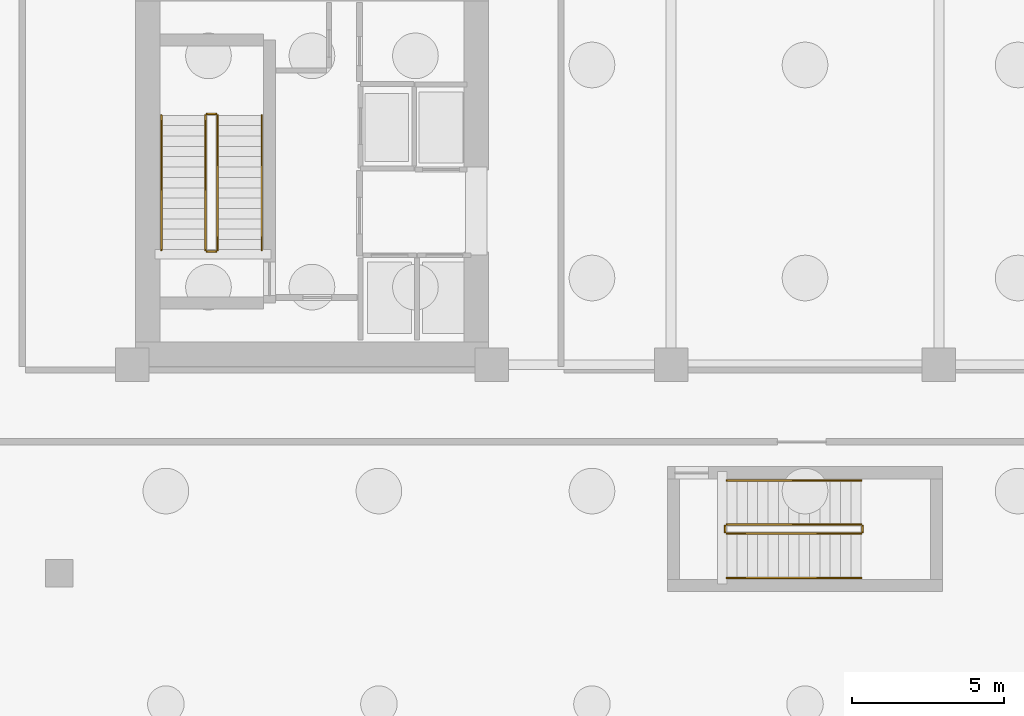
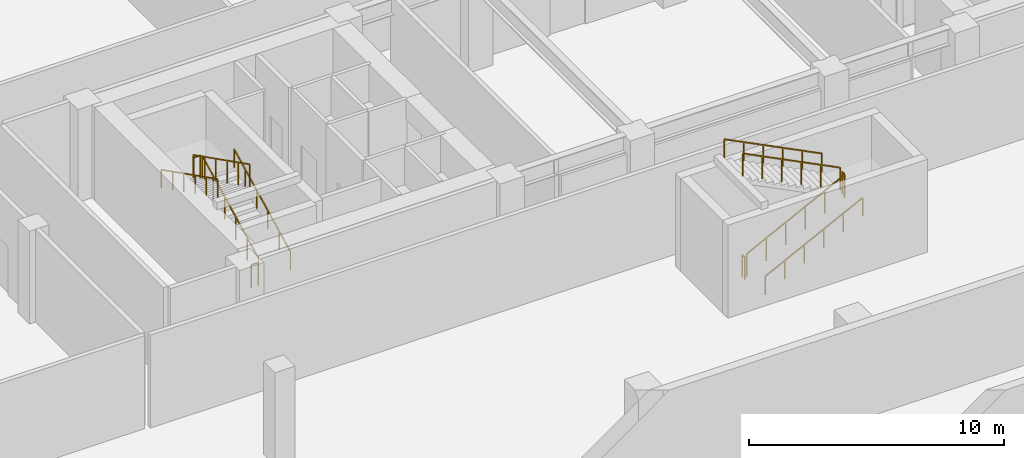
# One storey, part 8 of 10: 12 railings.
"""IFC4 building model written with IfcOpenShell, lengths in metres."""

from ifc_helpers import new_model, si_unit, direction, frame, origin, origin_2d, place, context, subcontext, project, spatial, rectangle, extrude, material, layer, layer_set, type_object, element, save


model = new_model("IFC4")

# Units and contexts
model_context = context("Model", 3, precision=1e-05, world=origin(), true_north=direction((0.0, 1.0)))
body_context = subcontext(model_context, "Body", "Model", "MODEL_VIEW")
ifc_project = project(units=[si_unit("LENGTHUNIT", "METRE"), si_unit("AREAUNIT", "SQUARE_METRE"), si_unit("VOLUMEUNIT", "CUBIC_METRE"), si_unit("PLANEANGLEUNIT", "RADIAN"), si_unit("MASSUNIT", "GRAM", prefix="KILO")], contexts=[model_context])

# Site, building, storey
site_placement = place(None, origin())
site = spatial("IfcSite", under=ifc_project, at=site_placement, CompositionType="ELEMENT")
building_placement = place(site_placement, origin())
building = spatial("IfcBuilding", under=site, at=building_placement, Name="Tavrogorsk Clinical Tower", CompositionType="ELEMENT")
storey_placement = place(building_placement, frame((0.0, 0.0, -10.199951171875)))
storey = spatial("IfcBuildingStorey", under=building, at=storey_placement, Name="B2", CompositionType="ELEMENT", Elevation=-10.199951171875)

# Railings
ifc_material_1 = material(Name="Galvanised steel S355 safety stairwell guard", Category="steel")
ifc_layer_1 = layer(ifc_material_1, 0.06005859375)
ifc_layer_set_1 = layer_set([ifc_layer_1], Name="Galvanised steel S355 safety stairwell guard")
railing_type_1 = type_object("IfcRailingType", Name="StairGuard_1150", PredefinedType="GUARDRAIL", material=ifc_layer_set_1)
railing_1_placement = place(storey_placement, frame((-19.300048828125, -2.574951171875, 0.17138671875)))
element("IfcRailing", 1, at=railing_1_placement, inside=storey, type_object=railing_type_1, Name="B2 ST-W stair guard 1", PredefinedType="GUARDRAIL", context=body_context, shape_type="SweptSolid", body=[
    extrude(rectangle(XDim=0.048095703125, YDim=0.048095703125, at=origin_2d()), frame((0.0, 0.0, 1.076171875), z_axis=(0.0, 0.89292277971, 0.450209850486), x_axis=(-1.0, 0.0, 0.0)), (0.0, 0.0, 1.0), 4.949951171875),
    extrude(rectangle(XDim=0.0419921875, YDim=0.0419921875, at=origin_2d()), origin(), (0.0, 0.0, 1.0), 1.052001953125),
    extrude(rectangle(XDim=0.0419921875, YDim=0.0419921875, at=origin_2d()), frame((0.0, 0.884033203125, 0.44580078125)), (0.0, 0.0, 1.0), 1.052001953125),
    extrude(rectangle(XDim=0.0419921875, YDim=0.0419921875, at=origin_2d()), frame((0.0, 1.76806640625, 0.891357421875)), (0.0, 0.0, 1.0), 1.052001953125),
    extrude(rectangle(XDim=0.0419921875, YDim=0.0419921875, at=origin_2d()), frame((0.0, 2.65185546875, 1.337158203125)), (0.0, 0.0, 1.0), 1.052001953125),
    extrude(rectangle(XDim=0.0419921875, YDim=0.0419921875, at=origin_2d()), frame((0.0, 3.535888671875, 1.78271484375)), (0.0, 0.0, 1.0), 1.052001953125),
    extrude(rectangle(XDim=0.0419921875, YDim=0.0419921875, at=origin_2d()), frame((0.0, 4.419921875, 2.228515625)), (0.0, 0.0, 1.0), 1.052001953125),
])
railing_2_placement = place(storey_placement, frame((-19.35009765625, 1.89501953125, 2.39990234375)))
element("IfcRailing", 2, at=railing_2_placement, inside=storey, type_object=railing_type_1, Name="B2 ST-W stair guard 2", PredefinedType="GUARDRAIL", context=body_context, shape_type="SweptSolid", body=[
    extrude(rectangle(XDim=0.048095703125, YDim=0.048095703125, at=origin_2d()), frame((0.0, 0.0, 1.076171875), z_axis=(-1.0, 0.0, 0.0), x_axis=(0.0, -1.0, 0.0)), (0.0, 0.0, 1.0), 0.2998046875),
    extrude(rectangle(XDim=0.0419921875, YDim=0.0419921875, at=origin_2d()), origin(), (0.0, 0.0, 1.0), 1.052001953125),
    extrude(rectangle(XDim=0.0419921875, YDim=0.0419921875, at=origin_2d()), frame((-0.2998046875, 0.0, 0.0)), (0.0, 0.0, 1.0), 1.052001953125),
])
railing_3_placement = place(storey_placement, frame((-19.699951171875, 1.844970703125, 2.5712890625)))
element("IfcRailing", 3, at=railing_3_placement, inside=storey, type_object=railing_type_1, Name="B2 ST-W stair guard 3", PredefinedType="GUARDRAIL", context=body_context, shape_type="SweptSolid", body=[
    extrude(rectangle(XDim=0.048095703125, YDim=0.048095703125, at=origin_2d()), frame((0.0, 0.0, 1.076171875), z_axis=(0.0, -0.892902951771, 0.450249174034), x_axis=(1.0, 0.0, 0.0)), (0.0, 0.0, 1.0), 4.949951171875),
    extrude(rectangle(XDim=0.0419921875, YDim=0.0419921875, at=origin_2d()), origin(), (0.0, 0.0, 1.0), 1.052001953125),
    extrude(rectangle(XDim=0.0419921875, YDim=0.0419921875, at=origin_2d()), frame((0.0, -0.884033203125, 0.44580078125)), (0.0, 0.0, 1.0), 1.052001953125),
    extrude(rectangle(XDim=0.0419921875, YDim=0.0419921875, at=origin_2d()), frame((0.0, -1.76806640625, 0.8916015625)), (0.0, 0.0, 1.0), 1.052001953125),
    extrude(rectangle(XDim=0.0419921875, YDim=0.0419921875, at=origin_2d()), frame((0.0, -2.65185546875, 1.337158203125)), (0.0, 0.0, 1.0), 1.052001953125),
    extrude(rectangle(XDim=0.0419921875, YDim=0.0419921875, at=origin_2d()), frame((0.0, -3.535888671875, 1.782958984375)), (0.0, 0.0, 1.0), 1.052001953125),
    extrude(rectangle(XDim=0.0419921875, YDim=0.0419921875, at=origin_2d()), frame((0.0, -4.419921875, 2.228759765625)), (0.0, 0.0, 1.0), 1.052001953125),
])
railing_4_placement = place(storey_placement, frame((-19.35009765625, -2.625, 0.0)))
element("IfcRailing", 4, at=railing_4_placement, inside=storey, type_object=railing_type_1, Name="B2 ST-W stair guard 4", PredefinedType="GUARDRAIL", context=body_context, shape_type="SweptSolid", body=[
    extrude(rectangle(XDim=0.048095703125, YDim=0.048095703125, at=origin_2d()), frame((0.0, 0.0, 1.076171875), z_axis=(-1.0, 0.0, 0.0), x_axis=(0.0, -1.0, 0.0)), (0.0, 0.0, 1.0), 0.2998046875),
    extrude(rectangle(XDim=0.0419921875, YDim=0.0419921875, at=origin_2d()), origin(), (0.0, 0.0, 1.0), 1.052001953125),
    extrude(rectangle(XDim=0.0419921875, YDim=0.0419921875, at=origin_2d()), frame((-0.2998046875, 0.0, 0.0)), (0.0, 0.0, 1.0), 1.052001953125),
])
railing_5_placement = place(storey_placement, frame((-2.574951171875, -11.89990234375, 0.17138671875)))
element("IfcRailing", 5, at=railing_5_placement, inside=storey, type_object=railing_type_1, Name="B2 ST-P stair guard 1", PredefinedType="GUARDRAIL", context=body_context, shape_type="SweptSolid", body=[
    extrude(rectangle(XDim=0.048095703125, YDim=0.048095703125, at=origin_2d()), frame((0.0, 0.0, 1.076171875), z_axis=(0.89292277971, 0.0, 0.450209850486), x_axis=(0.0, 1.0, 0.0)), (0.0, 0.0, 1.0), 4.949951171875),
    extrude(rectangle(XDim=0.0419921875, YDim=0.0419921875, at=origin_2d()), origin(), (0.0, 0.0, 1.0), 1.052001953125),
    extrude(rectangle(XDim=0.0419921875, YDim=0.0419921875, at=origin_2d()), frame((0.884033203125, 0.0, 0.44580078125)), (0.0, 0.0, 1.0), 1.052001953125),
    extrude(rectangle(XDim=0.0419921875, YDim=0.0419921875, at=origin_2d()), frame((1.76806640625, 0.0, 0.891357421875)), (0.0, 0.0, 1.0), 1.052001953125),
    extrude(rectangle(XDim=0.0419921875, YDim=0.0419921875, at=origin_2d()), frame((2.65185546875, 0.0, 1.337158203125)), (0.0, 0.0, 1.0), 1.052001953125),
    extrude(rectangle(XDim=0.0419921875, YDim=0.0419921875, at=origin_2d()), frame((3.535888671875, 0.0, 1.78271484375)), (0.0, 0.0, 1.0), 1.052001953125),
    extrude(rectangle(XDim=0.0419921875, YDim=0.0419921875, at=origin_2d()), frame((4.419921875, 0.0, 2.228515625)), (0.0, 0.0, 1.0), 1.052001953125),
])
railing_6_placement = place(storey_placement, frame((1.89501953125, -11.85009765625, 2.39990234375)))
element("IfcRailing", 6, at=railing_6_placement, inside=storey, type_object=railing_type_1, Name="B2 ST-P stair guard 2", PredefinedType="GUARDRAIL", context=body_context, shape_type="SweptSolid", body=[
    extrude(rectangle(XDim=0.048095703125, YDim=0.048095703125, at=origin_2d()), frame((0.0, 0.0, 1.076171875), z_axis=(0.0, 1.0, 0.0), x_axis=(-1.0, 0.0, 0.0)), (0.0, 0.0, 1.0), 0.2001953125),
    extrude(rectangle(XDim=0.0419921875, YDim=0.0419921875, at=origin_2d()), origin(), (0.0, 0.0, 1.0), 1.052001953125),
    extrude(rectangle(XDim=0.0419921875, YDim=0.0419921875, at=origin_2d()), frame((0.0, 0.2001953125, 0.0)), (0.0, 0.0, 1.0), 1.052001953125),
])
railing_7_placement = place(storey_placement, frame((1.844970703125, -11.60009765625, 2.5712890625)))
element("IfcRailing", 7, at=railing_7_placement, inside=storey, type_object=railing_type_1, Name="B2 ST-P stair guard 3", PredefinedType="GUARDRAIL", context=body_context, shape_type="SweptSolid", body=[
    extrude(rectangle(XDim=0.048095703125, YDim=0.048095703125, at=origin_2d()), frame((0.0, 0.0, 1.076171875), z_axis=(-0.892902951771, 0.0, 0.450249174034), x_axis=(0.0, -1.0, 0.0)), (0.0, 0.0, 1.0), 4.949951171875),
    extrude(rectangle(XDim=0.0419921875, YDim=0.0419921875, at=origin_2d()), origin(), (0.0, 0.0, 1.0), 1.052001953125),
    extrude(rectangle(XDim=0.0419921875, YDim=0.0419921875, at=origin_2d()), frame((-0.884033203125, 0.0, 0.44580078125)), (0.0, 0.0, 1.0), 1.052001953125),
    extrude(rectangle(XDim=0.0419921875, YDim=0.0419921875, at=origin_2d()), frame((-1.76806640625, 0.0, 0.8916015625)), (0.0, 0.0, 1.0), 1.052001953125),
    extrude(rectangle(XDim=0.0419921875, YDim=0.0419921875, at=origin_2d()), frame((-2.65185546875, 0.0, 1.337158203125)), (0.0, 0.0, 1.0), 1.052001953125),
    extrude(rectangle(XDim=0.0419921875, YDim=0.0419921875, at=origin_2d()), frame((-3.535888671875, 0.0, 1.782958984375)), (0.0, 0.0, 1.0), 1.052001953125),
    extrude(rectangle(XDim=0.0419921875, YDim=0.0419921875, at=origin_2d()), frame((-4.419921875, 0.0, 2.228759765625)), (0.0, 0.0, 1.0), 1.052001953125),
])
railing_8_placement = place(storey_placement, frame((-2.625, -11.85009765625, 0.0)))
element("IfcRailing", 8, at=railing_8_placement, inside=storey, type_object=railing_type_1, Name="B2 ST-P stair guard 4", PredefinedType="GUARDRAIL", context=body_context, shape_type="SweptSolid", body=[
    extrude(rectangle(XDim=0.048095703125, YDim=0.048095703125, at=origin_2d()), frame((0.0, 0.0, 1.076171875), z_axis=(0.0, 1.0, 0.0), x_axis=(-1.0, 0.0, 0.0)), (0.0, 0.0, 1.0), 0.2001953125),
    extrude(rectangle(XDim=0.0419921875, YDim=0.0419921875, at=origin_2d()), origin(), (0.0, 0.0, 1.0), 1.052001953125),
    extrude(rectangle(XDim=0.0419921875, YDim=0.0419921875, at=origin_2d()), frame((0.0, 0.2001953125, 0.0)), (0.0, 0.0, 1.0), 1.052001953125),
])
ifc_material_2 = material(Name="Stainless steel AISI 304 tubular handrail", Category="steel")
ifc_layer_2 = layer(ifc_material_2, 0.050048828125)
ifc_layer_set_2 = layer_set([ifc_layer_2], Name="Stainless steel AISI 304 tubular handrail")
railing_type_2 = type_object("IfcRailingType", Name="StairHandrail_920", PredefinedType="HANDRAIL", material=ifc_layer_set_2)
railing_9_placement = place(storey_placement, frame((-17.85009765625, -2.574951171875, 0.17138671875)))
element("IfcRailing", 9, at=railing_9_placement, inside=storey, type_object=railing_type_2, Name="B2 ST-W stair handrail 1", PredefinedType="HANDRAIL", context=body_context, shape_type="SweptSolid", body=[
    extrude(rectangle(XDim=0.048095703125, YDim=0.048095703125, at=origin_2d()), frame((0.0, 0.0, 0.8759765625), z_axis=(0.0, 0.89292277971, 0.450209850486), x_axis=(-1.0, 0.0, 0.0)), (0.0, 0.0, 1.0), 4.949951171875),
    extrude(rectangle(XDim=0.0419921875, YDim=0.0419921875, at=origin_2d()), origin(), (0.0, 0.0, 1.0), 0.851806640625),
    extrude(rectangle(XDim=0.0419921875, YDim=0.0419921875, at=origin_2d()), frame((0.0, 0.884033203125, 0.44580078125)), (0.0, 0.0, 1.0), 0.851806640625),
    extrude(rectangle(XDim=0.0419921875, YDim=0.0419921875, at=origin_2d()), frame((0.0, 1.76806640625, 0.891357421875)), (0.0, 0.0, 1.0), 0.851806640625),
    extrude(rectangle(XDim=0.0419921875, YDim=0.0419921875, at=origin_2d()), frame((0.0, 2.65185546875, 1.337158203125)), (0.0, 0.0, 1.0), 0.851806640625),
    extrude(rectangle(XDim=0.0419921875, YDim=0.0419921875, at=origin_2d()), frame((0.0, 3.535888671875, 1.78271484375)), (0.0, 0.0, 1.0), 0.851806640625),
    extrude(rectangle(XDim=0.0419921875, YDim=0.0419921875, at=origin_2d()), frame((0.0, 4.419921875, 2.228515625)), (0.0, 0.0, 1.0), 0.851806640625),
])
railing_10_placement = place(storey_placement, frame((-21.14990234375, 1.844970703125, 2.5712890625)))
element("IfcRailing", 10, at=railing_10_placement, inside=storey, type_object=railing_type_2, Name="B2 ST-W stair handrail 2", PredefinedType="HANDRAIL", context=body_context, shape_type="SweptSolid", body=[
    extrude(rectangle(XDim=0.048095703125, YDim=0.048095703125, at=origin_2d()), frame((0.0, 0.0, 0.8759765625), z_axis=(0.0, -0.892902951771, 0.450249174034), x_axis=(1.0, 0.0, 0.0)), (0.0, 0.0, 1.0), 4.949951171875),
    extrude(rectangle(XDim=0.0419921875, YDim=0.0419921875, at=origin_2d()), origin(), (0.0, 0.0, 1.0), 0.851806640625),
    extrude(rectangle(XDim=0.0419921875, YDim=0.0419921875, at=origin_2d()), frame((0.0, -0.884033203125, 0.44580078125)), (0.0, 0.0, 1.0), 0.851806640625),
    extrude(rectangle(XDim=0.0419921875, YDim=0.0419921875, at=origin_2d()), frame((0.0, -1.76806640625, 0.8916015625)), (0.0, 0.0, 1.0), 0.851806640625),
    extrude(rectangle(XDim=0.0419921875, YDim=0.0419921875, at=origin_2d()), frame((0.0, -2.65185546875, 1.337158203125)), (0.0, 0.0, 1.0), 0.851806640625),
    extrude(rectangle(XDim=0.0419921875, YDim=0.0419921875, at=origin_2d()), frame((0.0, -3.535888671875, 1.782958984375)), (0.0, 0.0, 1.0), 0.851806640625),
    extrude(rectangle(XDim=0.0419921875, YDim=0.0419921875, at=origin_2d()), frame((0.0, -4.419921875, 2.228759765625)), (0.0, 0.0, 1.0), 0.851806640625),
])
railing_11_placement = place(storey_placement, frame((-2.574951171875, -13.35009765625, 0.17138671875)))
element("IfcRailing", 11, at=railing_11_placement, inside=storey, type_object=railing_type_2, Name="B2 ST-P stair handrail 1", PredefinedType="HANDRAIL", context=body_context, shape_type="SweptSolid", body=[
    extrude(rectangle(XDim=0.048095703125, YDim=0.048095703125, at=origin_2d()), frame((0.0, 0.0, 0.8759765625), z_axis=(0.89292277971, 0.0, 0.450209850486), x_axis=(0.0, 1.0, 0.0)), (0.0, 0.0, 1.0), 4.949951171875),
    extrude(rectangle(XDim=0.0419921875, YDim=0.0419921875, at=origin_2d()), origin(), (0.0, 0.0, 1.0), 0.851806640625),
    extrude(rectangle(XDim=0.0419921875, YDim=0.0419921875, at=origin_2d()), frame((0.884033203125, 0.0, 0.44580078125)), (0.0, 0.0, 1.0), 0.851806640625),
    extrude(rectangle(XDim=0.0419921875, YDim=0.0419921875, at=origin_2d()), frame((1.76806640625, 0.0, 0.891357421875)), (0.0, 0.0, 1.0), 0.851806640625),
    extrude(rectangle(XDim=0.0419921875, YDim=0.0419921875, at=origin_2d()), frame((2.65185546875, 0.0, 1.337158203125)), (0.0, 0.0, 1.0), 0.851806640625),
    extrude(rectangle(XDim=0.0419921875, YDim=0.0419921875, at=origin_2d()), frame((3.535888671875, 0.0, 1.78271484375)), (0.0, 0.0, 1.0), 0.851806640625),
    extrude(rectangle(XDim=0.0419921875, YDim=0.0419921875, at=origin_2d()), frame((4.419921875, 0.0, 2.228515625)), (0.0, 0.0, 1.0), 0.851806640625),
])
railing_12_placement = place(storey_placement, frame((1.844970703125, -10.14990234375, 2.5712890625)))
element("IfcRailing", 12, at=railing_12_placement, inside=storey, type_object=railing_type_2, Name="B2 ST-P stair handrail 2", PredefinedType="HANDRAIL", context=body_context, shape_type="SweptSolid", body=[
    extrude(rectangle(XDim=0.048095703125, YDim=0.048095703125, at=origin_2d()), frame((0.0, 0.0, 0.8759765625), z_axis=(-0.892902951771, 0.0, 0.450249174034), x_axis=(0.0, -1.0, 0.0)), (0.0, 0.0, 1.0), 4.949951171875),
    extrude(rectangle(XDim=0.0419921875, YDim=0.0419921875, at=origin_2d()), origin(), (0.0, 0.0, 1.0), 0.851806640625),
    extrude(rectangle(XDim=0.0419921875, YDim=0.0419921875, at=origin_2d()), frame((-0.884033203125, 0.0, 0.44580078125)), (0.0, 0.0, 1.0), 0.851806640625),
    extrude(rectangle(XDim=0.0419921875, YDim=0.0419921875, at=origin_2d()), frame((-1.76806640625, 0.0, 0.8916015625)), (0.0, 0.0, 1.0), 0.851806640625),
    extrude(rectangle(XDim=0.0419921875, YDim=0.0419921875, at=origin_2d()), frame((-2.65185546875, 0.0, 1.337158203125)), (0.0, 0.0, 1.0), 0.851806640625),
    extrude(rectangle(XDim=0.0419921875, YDim=0.0419921875, at=origin_2d()), frame((-3.535888671875, 0.0, 1.782958984375)), (0.0, 0.0, 1.0), 0.851806640625),
    extrude(rectangle(XDim=0.0419921875, YDim=0.0419921875, at=origin_2d()), frame((-4.419921875, 0.0, 2.228759765625)), (0.0, 0.0, 1.0), 0.851806640625),
])

save(model, "model.ifc")
